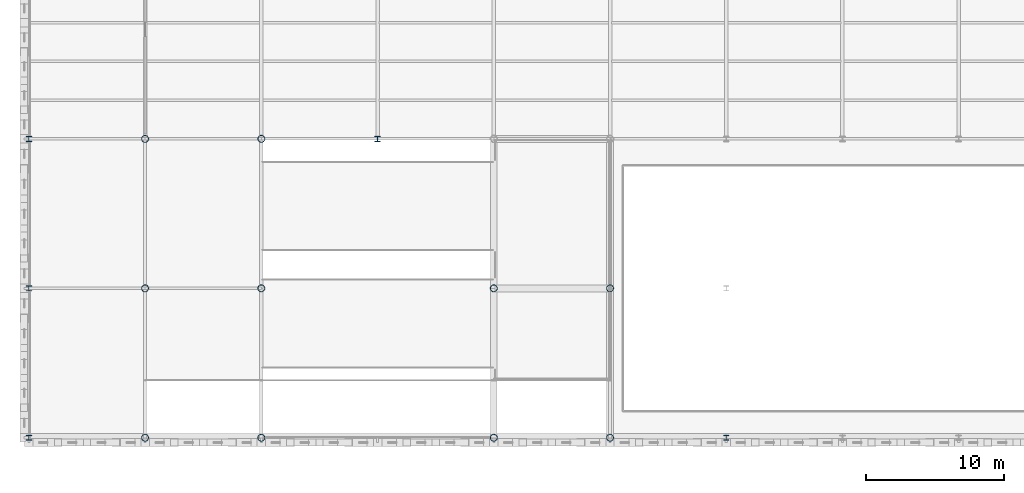
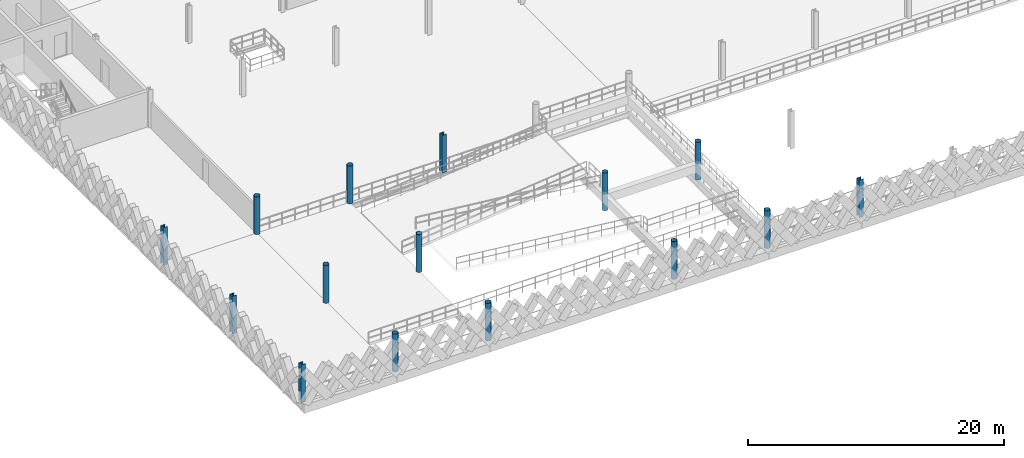
# One storey, part 1 of 79: 15 columns.
"""IFC4 building model written with IfcOpenShell, lengths in metres."""

from ifc_helpers import new_model, si_unit, direction, frame, origin, origin_2d, place, context, subcontext, project, spatial, hollow_circle, i_section, extrude, material, material_profile, profile_set, type_object, element, save


model = new_model("IFC4")

# Units and contexts
model_context = context("Model", 3, precision=1e-05, world=origin(), true_north=direction((0.0, 1.0)))
body_context = subcontext(model_context, "Body", "Model", "MODEL_VIEW")
ifc_project = project(units=[si_unit("LENGTHUNIT", "METRE"), si_unit("AREAUNIT", "SQUARE_METRE"), si_unit("VOLUMEUNIT", "CUBIC_METRE"), si_unit("PLANEANGLEUNIT", "RADIAN"), si_unit("MASSUNIT", "GRAM", prefix="KILO"), si_unit("THERMODYNAMICTEMPERATUREUNIT", "KELVIN"), si_unit("POWERUNIT", "WATT")], contexts=[model_context])

# Site, building, storey
site_placement = place(None, origin())
site = spatial("IfcSite", under=ifc_project, at=site_placement, CompositionType="ELEMENT")
building_placement = place(site_placement, origin())
building = spatial("IfcBuilding", under=site, at=building_placement, Name="Tembeka Court Mobility Hub", CompositionType="ELEMENT")
storey_placement = place(building_placement, frame((0.0, 0.0, 9.0)))
storey = spatial("IfcBuildingStorey", under=building, at=storey_placement, Name="L02", CompositionType="ELEMENT", Elevation=9.0)

# Columns
ifc_material = material(Name="Steel S355", Category="steel")
ifc_material_profile_1 = material_profile(ifc_material, i_section(OverallWidth=0.39501953125, OverallDepth=0.381103515625, WebThickness=0.018310546875, FlangeThickness=0.0302734375, FilletRadius=0.01513671875, at=origin_2d()), Name="UKC 356x406x235")
ifc_profile_set_1 = profile_set([ifc_material_profile_1], Name="Steel S355")
column_type_1 = type_object("IfcColumnType", Name="COL-C02", PredefinedType="COLUMN", material=ifc_profile_set_1)
for number, where, z_axis, x_axis, name in (
    (1, (0.0, 0.0, 0.0), (0.0, 0.0, 1.0), (1.0, 0.0, 0.0), "Column C02 (L02-001)"),
    (2, (0.0, 10.800048828125, 0.0), (0.0, 0.0, 1.0), (1.0, 0.0, 0.0), "Column C02 (L02-002)"),
    (3, (0.0, 21.60009765625, 0.0), (0.0, 0.0, 1.0), (1.0, 0.0, 0.0), "Column C02 (L02-003)"),
    (4, (25.199951171875, 21.60009765625, 0.0), (0.0, 0.0, 1.0), (1.0, 0.0, 0.0), "Column C02 (L02-038)"),
    (5, (50.39990234375, 0.0, 0.0), (0.0, 0.0, 1.0), (1.0, 0.0, 0.0), "Column C02 (L02-071)"),
):
    element("IfcColumn", number, at=place(storey_placement, frame(where, z_axis=z_axis, x_axis=x_axis)), inside=storey, type_object=column_type_1, Name=name, PredefinedType="COLUMN", context=body_context, shape_type="SweptSolid", body=[
        extrude(i_section(OverallWidth=0.39501953125, OverallDepth=0.381103515625, WebThickness=0.018310546875, FlangeThickness=0.0302734375, FilletRadius=0.01513671875, at=origin_2d()), origin(), (0.0, 0.0, 1.0), 3.60009765625),
    ])
ifc_material_profile_2 = material_profile(ifc_material, hollow_circle(Radius=0.25390625, WallThickness=0.01611328125, at=origin_2d()), Name="CHS 508x16")
ifc_profile_set_2 = profile_set([ifc_material_profile_2], Name="Steel S355")
column_type_2 = type_object("IfcColumnType", Name="COL-C08", PredefinedType="COLUMN", material=ifc_profile_set_2)
for number, where, z_axis, x_axis, name in (
    (6, (8.39990234375, 0.0, 0.0), (0.0, 0.0, 1.0), (1.0, 0.0, 0.0), "Column C08 (L02-013)"),
    (7, (8.39990234375, 10.800048828125, 0.0), (0.0, 0.0, 1.0), (1.0, 0.0, 0.0), "Column C08 (L02-014)"),
    (8, (8.39990234375, 21.60009765625, 0.0), (0.0, 0.0, 1.0), (1.0, 0.0, 0.0), "Column C08 (L02-015)"),
    (9, (16.800048828125, 0.0, 0.0), (0.0, 0.0, 1.0), (1.0, 0.0, 0.0), "Column C08 (L02-025)"),
    (10, (16.800048828125, 10.800048828125, 0.0), (0.0, 0.0, 1.0), (1.0, 0.0, 0.0), "Column C08 (L02-026)"),
    (11, (16.800048828125, 21.60009765625, 0.0), (0.0, 0.0, 1.0), (1.0, 0.0, 0.0), "Column C08 (L02-027)"),
    (12, (33.60009765625, 0.0, 0.0), (0.0, 0.0, 1.0), (1.0, 0.0, 0.0), "Column C08 (L02-047)"),
    (13, (33.60009765625, 10.800048828125, 0.0), (0.0, 0.0, 1.0), (1.0, 0.0, 0.0), "Column C08 (L02-048)"),
    (14, (42.0, 0.0, 0.0), (0.0, 0.0, 1.0), (1.0, 0.0, 0.0), "Column C08 (L02-059)"),
    (15, (42.0, 10.800048828125, 0.0), (0.0, 0.0, 1.0), (1.0, 0.0, 0.0), "Column C08 (L02-060)"),
):
    element("IfcColumn", number, at=place(storey_placement, frame(where, z_axis=z_axis, x_axis=x_axis)), inside=storey, type_object=column_type_2, Name=name, PredefinedType="COLUMN", context=body_context, shape_type="SweptSolid", body=[
        extrude(hollow_circle(Radius=0.25390625, WallThickness=0.01611328125, at=origin_2d()), origin(), (0.0, 0.0, 1.0), 3.60009765625),
    ])

save(model, "model.ifc")
